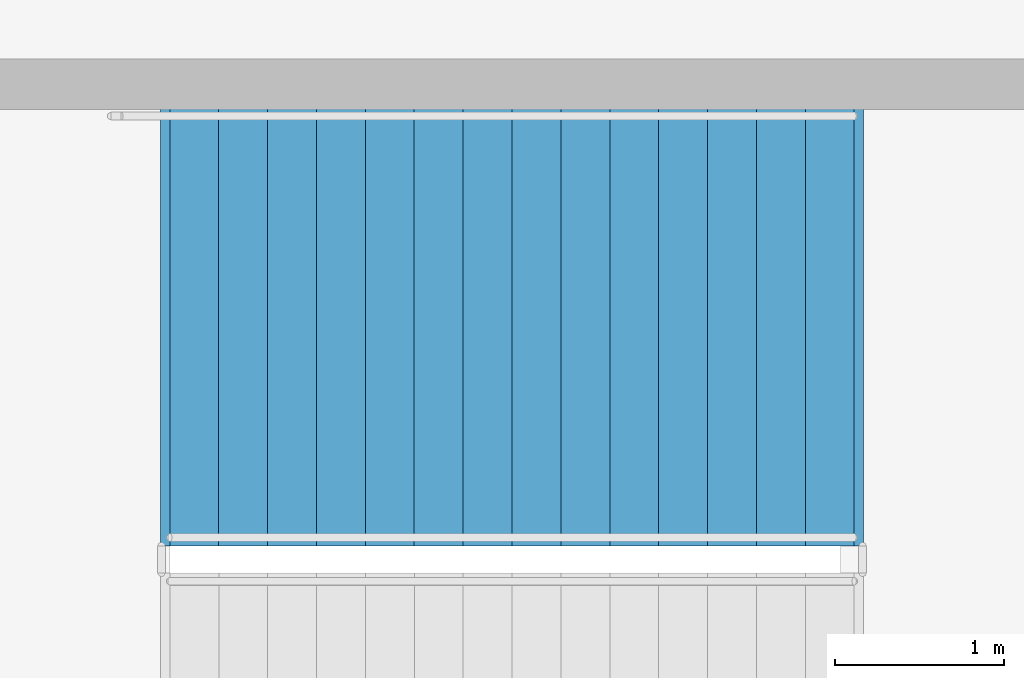
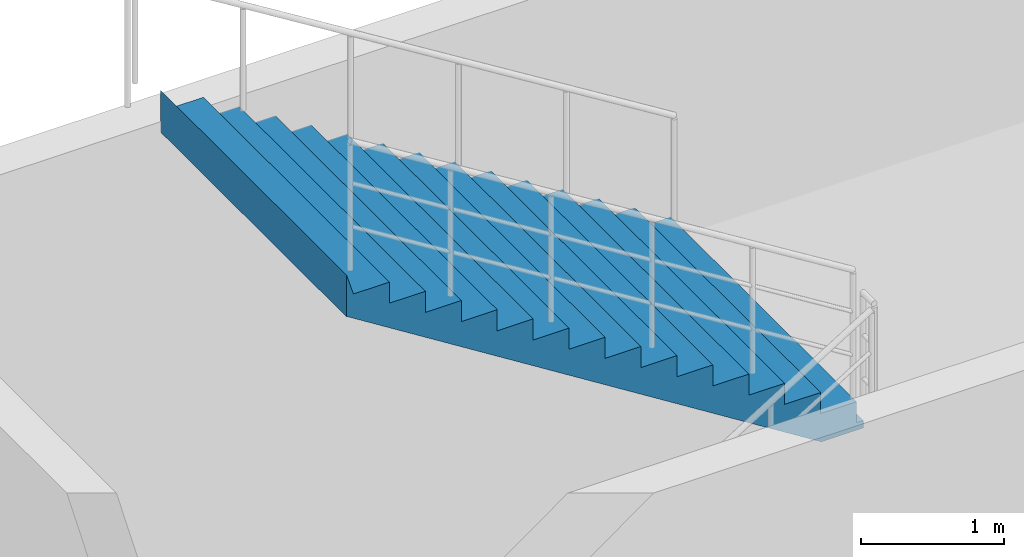
# One storey, part 73 of 93: 1 stair flight, 1 element without a shape of its own.
"""IFC4 building model written with IfcOpenShell, lengths in metres."""

from ifc_helpers import new_model, si_unit, direction, frame, origin, place, context, subcontext, project, spatial, polyline, outline, extrude, material, type_object, element, aggregate, save


model = new_model("IFC4")

# Units and contexts
model_context = context("Model", 3, precision=1e-05, world=origin(), true_north=direction((0.0, 1.0)))
body_context = subcontext(model_context, "Body", "Model", "MODEL_VIEW")
ifc_project = project(units=[si_unit("LENGTHUNIT", "METRE"), si_unit("AREAUNIT", "SQUARE_METRE"), si_unit("VOLUMEUNIT", "CUBIC_METRE"), si_unit("PLANEANGLEUNIT", "RADIAN"), si_unit("MASSUNIT", "GRAM", prefix="KILO")], contexts=[model_context])

# Site, building, storey
site_placement = place(None, origin())
site = spatial("IfcSite", under=ifc_project, at=site_placement, CompositionType="ELEMENT")
building_placement = place(site_placement, origin())
building = spatial("IfcBuilding", under=site, at=building_placement, Name="Cinderbank Siding Concert Hall", CompositionType="ELEMENT")
storey_placement = place(building_placement, origin())
storey = spatial("IfcBuildingStorey", under=building, at=storey_placement, Name="L01", CompositionType="ELEMENT", Elevation=0.0)

# Stair, stair flight
ifc_material = material(Name="Reinforced concrete AS 3600 N50 (50 MPa)", Category="concrete")
stair_type = type_object("IfcStairType", Name="STR-B Dogleg Exit Stair 2600mm", PredefinedType="HALF_TURN_STAIR", material=ifc_material)
stair_placement = place(storey_placement, origin())
stair = element("IfcStair", 1, at=stair_placement, inside=storey, type_object=stair_type, Name="L01 Southeast Concourse Exit Stair ST-10", PredefinedType="HALF_TURN_STAIR")
stair_flight_type = type_object("IfcStairFlightType", Name="SFL-B Concrete Stair Flight 2600mm", PredefinedType="STRAIGHT", material=ifc_material)
stair_flight_placement = place(storey_placement, frame((159.159912109375, 21.860107421875, 2.699951171875), z_axis=(0.0, 0.0, 1.0), x_axis=(-1.0, 0.0, 0.0)))
stair_flight = element("IfcStairFlight", 2, at=stair_flight_placement, type_object=stair_flight_type, Name="ST-10 flight 2", NumberOfRisers=15, NumberOfTreads=14, PredefinedType="STRAIGHT", RiserHeight=0.18, TreadLength=0.29, context=body_context, shape_type="SweptSolid", body=[
    extrude(outline(polyline([(0.0, 0.0), (0.0, 0.179931640625), (0.2900390625, 0.179931640625), (0.2900390625, 0.360107421875), (0.580078125, 0.360107421875), (0.580078125, 0.5400390625), (0.8701171875, 0.5400390625), (0.8701171875, 0.719970703125), (1.159912109375, 0.719970703125), (1.159912109375, 0.89990234375), (1.449951171875, 0.89990234375), (1.449951171875, 1.080078125), (1.739990234375, 1.080078125), (1.739990234375, 1.260009765625), (2.030029296875, 1.260009765625), (2.030029296875, 1.43994140625), (2.320068359375, 1.43994140625), (2.320068359375, 1.6201171875), (2.610107421875, 1.6201171875), (2.610107421875, 1.800048828125), (2.89990234375, 1.800048828125), (2.89990234375, 1.97998046875), (3.18994140625, 1.97998046875), (3.18994140625, 2.159912109375), (3.47998046875, 2.159912109375), (3.47998046875, 2.340087890625), (3.77001953125, 2.340087890625), (3.77001953125, 2.52001953125), (4.06005859375, 2.52001953125), (4.114990234375, 2.699951171875), (4.114990234375, 2.343505859375), (4.11474609375, 2.34375), (4.11474609375, 2.343994140625), (4.11474609375, 2.34423828125), (4.11474609375, 2.344482421875), (4.11474609375, 2.3447265625), (4.11474609375, 2.344970703125), (4.11474609375, 2.34521484375), (4.11474609375, 2.345458984375), (4.11474609375, 2.345703125), (4.11474609375, 2.345947265625), (4.11474609375, 2.34619140625), (4.11474609375, 2.346435546875), (4.114501953125, 2.346435546875), (4.114501953125, 2.34619140625), (4.114501953125, 2.345947265625), (4.114501953125, 2.345703125), (4.114501953125, 2.345458984375), (4.114501953125, 2.34521484375), (4.114501953125, 2.344970703125), (4.114501953125, 2.3447265625), (4.114501953125, 2.344482421875), (4.114501953125, 2.34423828125), (4.114501953125, 2.343994140625), (4.114501953125, 2.34375), (4.114501953125, 2.343505859375), (4.1142578125, 2.34375), (4.1142578125, 2.343994140625), (4.1142578125, 2.34423828125), (4.1142578125, 2.344482421875), (4.1142578125, 2.3447265625), (4.1142578125, 2.344970703125), (4.1142578125, 2.34521484375), (4.1142578125, 2.345458984375), (4.1142578125, 2.345703125), (4.1142578125, 2.345947265625), (4.1142578125, 2.34619140625), (4.1142578125, 2.346435546875), (4.114013671875, 2.346435546875), (4.114013671875, 2.34619140625), (4.114013671875, 2.345947265625), (4.114013671875, 2.345703125), (4.114013671875, 2.345458984375), (4.114013671875, 2.34521484375), (4.114013671875, 2.344970703125), (4.114013671875, 2.3447265625), (4.114013671875, 2.344482421875), (4.114013671875, 2.34423828125), (4.114013671875, 2.343994140625), (4.114013671875, 2.34375), (4.114013671875, 2.343505859375), (4.11376953125, 2.34375), (4.11376953125, 2.343994140625), (4.11376953125, 2.34423828125), (4.11376953125, 2.344482421875), (4.11376953125, 2.3447265625), (4.11376953125, 2.344970703125), (4.11376953125, 2.34521484375), (4.11376953125, 2.345458984375), (4.11376953125, 2.345703125), (4.11376953125, 2.345947265625), (4.11376953125, 2.34619140625), (4.11376953125, 2.346435546875), (4.113525390625, 2.346435546875), (4.113525390625, 2.34619140625), (4.113525390625, 2.345947265625), (4.113525390625, 2.345703125), (4.113525390625, 2.345458984375), (4.113525390625, 2.34521484375), (4.113525390625, 2.344970703125), (4.113525390625, 2.3447265625), (4.113525390625, 2.344482421875), (4.113525390625, 2.34423828125), (4.113525390625, 2.343994140625), (4.113525390625, 2.34375), (4.113525390625, 2.343505859375), (4.11328125, 2.34375), (4.11328125, 2.343994140625), (4.11328125, 2.34423828125), (4.11328125, 2.344482421875), (4.11328125, 2.3447265625), (4.11328125, 2.344970703125), (4.11328125, 2.34521484375), (4.11328125, 2.345458984375), (4.11328125, 2.345703125), (4.11328125, 2.345947265625), (4.11328125, 2.34619140625), (4.11328125, 2.346435546875), (4.113037109375, 2.346435546875), (4.113037109375, 2.34619140625), (4.113037109375, 2.345947265625), (4.113037109375, 2.345703125), (4.113037109375, 2.345458984375), (4.113037109375, 2.34521484375), (4.113037109375, 2.344970703125), (4.113037109375, 2.3447265625), (4.113037109375, 2.344482421875), (4.113037109375, 2.34423828125), (4.113037109375, 2.343994140625), (4.113037109375, 2.34375), (4.113037109375, 2.343505859375), (4.11279296875, 2.34375), (4.11279296875, 2.343994140625), (4.11279296875, 2.34423828125), (4.11279296875, 2.344482421875), (4.11279296875, 2.3447265625), (4.11279296875, 2.344970703125), (4.11279296875, 2.34521484375), (4.11279296875, 2.345458984375), (4.11279296875, 2.345703125), (4.11279296875, 2.345947265625), (4.11279296875, 2.34619140625), (4.11279296875, 2.346435546875), (4.112548828125, 2.346435546875), (4.112548828125, 2.34619140625), (4.112548828125, 2.345947265625), (4.112548828125, 2.345703125), (4.112548828125, 2.345458984375), (4.112548828125, 2.34521484375), (4.112548828125, 2.344970703125), (4.112548828125, 2.3447265625), (4.112548828125, 2.344482421875), (4.112548828125, 2.34423828125), (4.112548828125, 2.343994140625), (4.112548828125, 2.34375), (4.112548828125, 2.343505859375), (4.1123046875, 2.34375), (4.1123046875, 2.343994140625), (4.1123046875, 2.34423828125), (4.1123046875, 2.344482421875), (4.1123046875, 2.3447265625), (4.1123046875, 2.344970703125), (4.1123046875, 2.34521484375), (4.1123046875, 2.345458984375), (4.1123046875, 2.345703125), (4.1123046875, 2.345947265625), (4.1123046875, 2.34619140625), (4.1123046875, 2.346435546875), (4.112060546875, 2.346435546875), (4.112060546875, 2.34619140625), (4.112060546875, 2.345947265625), (4.112060546875, 2.345703125), (4.112060546875, 2.345458984375), (4.112060546875, 2.34521484375), (4.112060546875, 2.344970703125), (4.112060546875, 2.3447265625), (4.112060546875, 2.344482421875), (4.112060546875, 2.34423828125), (4.112060546875, 2.343994140625), (4.112060546875, 2.34375), (4.112060546875, 2.343505859375), (4.11181640625, 2.34375), (4.11181640625, 2.343994140625), (4.11181640625, 2.34423828125), (4.11181640625, 2.344482421875), (4.11181640625, 2.3447265625), (4.11181640625, 2.344970703125), (4.11181640625, 2.34521484375), (4.11181640625, 2.345458984375), (4.11181640625, 2.345703125), (4.11181640625, 2.345947265625), (4.11181640625, 2.34619140625), (4.11181640625, 2.346435546875), (4.111572265625, 2.346435546875), (4.111572265625, 2.34619140625), (4.111572265625, 2.345947265625), (4.111572265625, 2.345703125), (4.111572265625, 2.345458984375), (4.111572265625, 2.34521484375), (4.111572265625, 2.344970703125), (4.111572265625, 2.3447265625), (4.111572265625, 2.344482421875), (4.111572265625, 2.34423828125), (4.111572265625, 2.343994140625), (4.111572265625, 2.34375), (4.111572265625, 2.343505859375), (4.111328125, 2.34375), (4.111328125, 2.343994140625), (4.111328125, 2.34423828125), (4.111328125, 2.344482421875), (4.111328125, 2.3447265625), (4.111328125, 2.344970703125), (4.111328125, 2.34521484375), (4.111328125, 2.345458984375), (4.111328125, 2.345703125), (4.111328125, 2.345947265625), (4.111328125, 2.34619140625), (4.111328125, 2.346435546875), (4.111083984375, 2.346435546875), (4.111083984375, 2.34619140625), (4.111083984375, 2.345947265625), (4.111083984375, 2.345703125), (4.111083984375, 2.345458984375), (4.111083984375, 2.34521484375), (4.111083984375, 2.344970703125), (4.111083984375, 2.3447265625), (4.111083984375, 2.344482421875), (4.111083984375, 2.34423828125), (4.111083984375, 2.343994140625), (4.111083984375, 2.34375), (4.111083984375, 2.343505859375), (4.11083984375, 2.34375), (4.11083984375, 2.343994140625), (4.11083984375, 2.34423828125), (4.11083984375, 2.344482421875), (4.11083984375, 2.3447265625), (4.11083984375, 2.344970703125), (4.11083984375, 2.34521484375), (4.11083984375, 2.345458984375), (4.11083984375, 2.345703125), (4.11083984375, 2.345947265625), (4.11083984375, 2.34619140625), (4.11083984375, 2.346435546875), (4.110595703125, 2.346435546875), (4.110595703125, 2.34619140625), (4.110595703125, 2.345947265625), (4.110595703125, 2.345703125), (4.110595703125, 2.345458984375), (4.110595703125, 2.34521484375), (4.110595703125, 2.344970703125), (4.110595703125, 2.3447265625), (4.110595703125, 2.344482421875), (4.110595703125, 2.34423828125), (4.110595703125, 2.343994140625), (4.110595703125, 2.34375), (4.110595703125, 2.343505859375), (4.1103515625, 2.34375), (4.1103515625, 2.343994140625), (4.1103515625, 2.34423828125), (4.1103515625, 2.344482421875), (4.1103515625, 2.3447265625), (4.1103515625, 2.344970703125), (4.1103515625, 2.34521484375), (4.1103515625, 2.345458984375), (4.1103515625, 2.345703125), (4.1103515625, 2.345947265625), (4.1103515625, 2.34619140625), (4.1103515625, 2.346435546875), (4.110107421875, 2.346435546875), (4.110107421875, 2.34619140625), (4.110107421875, 2.345947265625), (4.110107421875, 2.345703125), (4.110107421875, 2.345458984375), (4.110107421875, 2.34521484375), (4.110107421875, 2.344970703125), (4.110107421875, 2.3447265625), (4.110107421875, 2.344482421875), (4.110107421875, 2.34423828125), (4.110107421875, 2.343994140625), (4.110107421875, 2.34375), (4.110107421875, 2.343505859375), (4.10986328125, 2.34375), (4.10986328125, 2.343994140625), (4.10986328125, 2.34423828125), (4.10986328125, 2.344482421875), (4.10986328125, 2.3447265625), (4.10986328125, 2.344970703125), (4.10986328125, 2.34521484375), (4.10986328125, 2.345458984375), (4.10986328125, 2.345703125), (4.10986328125, 2.345947265625), (4.10986328125, 2.34619140625), (4.10986328125, 2.346435546875), (4.109619140625, 2.346435546875), (4.109619140625, 2.34619140625), (4.109619140625, 2.345947265625), (4.109619140625, 2.345703125), (4.109619140625, 2.345458984375), (4.109619140625, 2.34521484375), (4.109619140625, 2.344970703125), (4.109619140625, 2.3447265625), (4.109619140625, 2.344482421875), (4.109619140625, 2.34423828125), (4.109619140625, 2.343994140625), (4.109619140625, 2.34375), (4.109619140625, 2.343505859375), (4.109375, 2.34375), (4.109375, 2.343994140625), (4.109375, 2.34423828125), (4.109375, 2.344482421875), (4.109375, 2.3447265625), (4.109375, 2.344970703125), (4.109375, 2.34521484375), (4.109375, 2.345458984375), (4.109375, 2.345703125), (4.109375, 2.345947265625), (4.109375, 2.34619140625), (4.109375, 2.346435546875), (4.109130859375, 2.346435546875), (4.109130859375, 2.34619140625), (4.109130859375, 2.345947265625), (4.109130859375, 2.345703125), (4.109130859375, 2.345458984375), (4.109130859375, 2.34521484375), (4.109130859375, 2.344970703125), (4.109130859375, 2.3447265625), (4.109130859375, 2.344482421875), (4.109130859375, 2.34423828125), (4.109130859375, 2.343994140625), (4.109130859375, 2.34375), (4.109130859375, 2.343505859375), (4.10888671875, 2.34375), (4.10888671875, 2.343994140625), (4.10888671875, 2.34423828125), (4.10888671875, 2.344482421875), (4.10888671875, 2.3447265625), (4.10888671875, 2.344970703125), (4.10888671875, 2.34521484375), (4.10888671875, 2.345458984375), (4.10888671875, 2.345703125), (4.10888671875, 2.345947265625), (4.10888671875, 2.34619140625), (4.10888671875, 2.346435546875), (4.108642578125, 2.346435546875), (4.108642578125, 2.34619140625), (4.108642578125, 2.345947265625), (4.108642578125, 2.345703125), (4.108642578125, 2.345458984375), (4.108642578125, 2.34521484375), (4.108642578125, 2.344970703125), (4.108642578125, 2.3447265625), (4.108642578125, 2.344482421875), (4.108642578125, 2.34423828125), (4.108642578125, 2.343994140625), (4.108642578125, 2.34375), (4.108642578125, 2.343505859375), (0.2841796875, -0.06396484375), (-0.048583984375, -0.063720703125), (-0.048583984375, -0.0634765625), (-0.048583984375, -0.063232421875), (-0.048583984375, -0.06298828125), (-0.048583984375, -0.062744140625), (-0.048583984375, -0.0625), (-0.048583984375, -0.062255859375), (-0.048583984375, -0.06201171875), (-0.048583984375, -0.061767578125), (-0.048583984375, -0.0615234375), (-0.048583984375, -0.061279296875), (-0.048583984375, -0.06103515625), (-0.048828125, -0.06103515625), (-0.048828125, -0.061279296875), (-0.048828125, -0.0615234375), (-0.048828125, -0.061767578125), (-0.048828125, -0.06201171875), (-0.048828125, -0.062255859375), (-0.048828125, -0.0625), (-0.048828125, -0.062744140625), (-0.048828125, -0.06298828125), (-0.048828125, -0.063232421875), (-0.048828125, -0.0634765625), (-0.048828125, -0.063720703125), (-0.048828125, -0.06396484375), (-0.049072265625, -0.063720703125), (-0.049072265625, -0.0634765625), (-0.049072265625, -0.063232421875), (-0.049072265625, -0.06298828125), (-0.049072265625, -0.062744140625), (-0.049072265625, -0.0625), (-0.049072265625, -0.062255859375), (-0.049072265625, -0.06201171875), (-0.049072265625, -0.061767578125), (-0.049072265625, -0.0615234375), (-0.049072265625, -0.061279296875), (-0.049072265625, -0.06103515625), (-0.04931640625, -0.06103515625), (-0.04931640625, -0.061279296875), (-0.04931640625, -0.0615234375), (-0.04931640625, -0.061767578125), (-0.04931640625, -0.06201171875), (-0.04931640625, -0.062255859375), (-0.04931640625, -0.0625), (-0.04931640625, -0.062744140625), (-0.04931640625, -0.06298828125), (-0.04931640625, -0.063232421875), (-0.04931640625, -0.0634765625), (-0.04931640625, -0.063720703125), (-0.04931640625, -0.06396484375), (-0.049560546875, -0.063720703125), (-0.049560546875, -0.0634765625), (-0.049560546875, -0.063232421875), (-0.049560546875, -0.06298828125), (-0.049560546875, -0.062744140625), (-0.049560546875, -0.0625), (-0.049560546875, -0.062255859375), (-0.049560546875, -0.06201171875), (-0.049560546875, -0.061767578125), (-0.049560546875, -0.0615234375), (-0.049560546875, -0.061279296875), (-0.049560546875, -0.06103515625), (-0.0498046875, -0.06103515625), (-0.0498046875, -0.061279296875), (-0.0498046875, -0.0615234375), (-0.0498046875, -0.061767578125), (-0.0498046875, -0.06201171875), (-0.0498046875, -0.062255859375), (-0.0498046875, -0.0625), (-0.0498046875, -0.062744140625), (-0.0498046875, -0.06298828125), (-0.0498046875, -0.063232421875), (-0.0498046875, -0.0634765625), (-0.0498046875, -0.063720703125), (-0.0498046875, -0.06396484375), (-0.050048828125, -0.063720703125), (-0.050048828125, -0.0634765625), (-0.050048828125, -0.063232421875), (-0.050048828125, -0.06298828125), (-0.050048828125, -0.062744140625), (-0.050048828125, -0.0625), (-0.050048828125, -0.062255859375), (-0.050048828125, -0.06201171875), (-0.050048828125, -0.061767578125), (-0.050048828125, -0.0615234375), (-0.050048828125, -0.061279296875), (-0.050048828125, -0.06103515625), (-0.05029296875, -0.06103515625), (-0.05029296875, -0.061279296875), (-0.05029296875, -0.0615234375), (-0.05029296875, -0.061767578125), (-0.05029296875, -0.06201171875), (-0.05029296875, -0.062255859375), (-0.05029296875, -0.0625), (-0.05029296875, -0.062744140625), (-0.05029296875, -0.06298828125), (-0.05029296875, -0.063232421875), (-0.05029296875, -0.0634765625), (-0.05029296875, -0.063720703125), (-0.05029296875, -0.06396484375), (-0.050537109375, -0.063720703125), (-0.050537109375, -0.0634765625), (-0.050537109375, -0.063232421875), (-0.050537109375, -0.06298828125), (-0.050537109375, -0.062744140625), (-0.050537109375, -0.0625), (-0.050537109375, -0.062255859375), (-0.050537109375, -0.06201171875), (-0.050537109375, -0.061767578125), (-0.050537109375, -0.0615234375), (-0.050537109375, -0.061279296875), (-0.050537109375, -0.06103515625), (-0.05078125, -0.06103515625), (-0.05078125, -0.061279296875), (-0.05078125, -0.0615234375), (-0.05078125, -0.061767578125), (-0.05078125, -0.06201171875), (-0.05078125, -0.062255859375), (-0.05078125, -0.0625), (-0.05078125, -0.062744140625), (-0.05078125, -0.06298828125), (-0.05078125, -0.063232421875), (-0.05078125, -0.0634765625), (-0.05078125, -0.063720703125), (-0.05078125, -0.06396484375), (-0.051025390625, -0.063720703125), (-0.051025390625, -0.0634765625), (-0.051025390625, -0.063232421875), (-0.051025390625, -0.06298828125), (-0.051025390625, -0.062744140625), (-0.051025390625, -0.0625), (-0.051025390625, -0.062255859375), (-0.051025390625, -0.06201171875), (-0.051025390625, -0.061767578125), (-0.051025390625, -0.0615234375), (-0.051025390625, -0.061279296875), (-0.051025390625, -0.06103515625), (-0.05126953125, -0.06103515625), (-0.05126953125, -0.061279296875), (-0.05126953125, -0.0615234375), (-0.05126953125, -0.061767578125), (-0.05126953125, -0.06201171875), (-0.05126953125, -0.062255859375), (-0.05126953125, -0.0625), (-0.05126953125, -0.062744140625), (-0.05126953125, -0.06298828125), (-0.05126953125, -0.063232421875), (-0.05126953125, -0.0634765625), (-0.05126953125, -0.063720703125), (-0.05126953125, -0.06396484375), (-0.051513671875, -0.063720703125), (-0.051513671875, -0.0634765625), (-0.051513671875, -0.063232421875), (-0.051513671875, -0.06298828125), (-0.051513671875, -0.062744140625), (-0.051513671875, -0.0625), (-0.051513671875, -0.062255859375), (-0.051513671875, -0.06201171875), (-0.051513671875, -0.061767578125), (-0.051513671875, -0.0615234375), (-0.051513671875, -0.061279296875), (-0.051513671875, -0.06103515625), (-0.0517578125, -0.06103515625), (-0.0517578125, -0.061279296875), (-0.0517578125, -0.0615234375), (-0.0517578125, -0.061767578125), (-0.0517578125, -0.06201171875), (-0.0517578125, -0.062255859375), (-0.0517578125, -0.0625), (-0.0517578125, -0.062744140625), (-0.0517578125, -0.06298828125), (-0.0517578125, -0.063232421875), (-0.0517578125, -0.0634765625), (-0.0517578125, -0.063720703125), (-0.0517578125, -0.06396484375), (-0.052001953125, -0.063720703125), (-0.052001953125, -0.0634765625), (-0.052001953125, -0.063232421875), (-0.052001953125, -0.06298828125), (-0.052001953125, -0.062744140625), (-0.052001953125, -0.0625), (-0.052001953125, -0.062255859375), (-0.052001953125, -0.06201171875), (-0.052001953125, -0.061767578125), (-0.052001953125, -0.0615234375), (-0.052001953125, -0.061279296875), (-0.052001953125, -0.06103515625), (-0.05224609375, -0.06103515625), (-0.05224609375, -0.061279296875), (-0.05224609375, -0.0615234375), (-0.05224609375, -0.061767578125), (-0.05224609375, -0.06201171875), (-0.05224609375, -0.062255859375), (-0.05224609375, -0.0625), (-0.05224609375, -0.062744140625), (-0.05224609375, -0.06298828125), (-0.05224609375, -0.063232421875), (-0.05224609375, -0.0634765625), (-0.05224609375, -0.063720703125), (-0.05224609375, -0.06396484375), (-0.052490234375, -0.063720703125), (-0.052490234375, -0.0634765625), (-0.052490234375, -0.063232421875), (-0.052490234375, -0.06298828125), (-0.052490234375, -0.062744140625), (-0.052490234375, -0.0625), (-0.052490234375, -0.062255859375), (-0.052490234375, -0.06201171875), (-0.052490234375, -0.061767578125), (-0.052490234375, -0.0615234375), (-0.052490234375, -0.061279296875), (-0.052490234375, -0.06103515625), (-0.052734375, -0.06103515625), (-0.052734375, -0.061279296875), (-0.052734375, -0.0615234375), (-0.052734375, -0.061767578125), (-0.052734375, -0.06201171875), (-0.052734375, -0.062255859375), (-0.052734375, -0.0625), (-0.052734375, -0.062744140625), (-0.052734375, -0.06298828125), (-0.052734375, -0.063232421875), (-0.052734375, -0.0634765625), (-0.052734375, -0.063720703125), (-0.052734375, -0.06396484375), (-0.052978515625, -0.063720703125), (-0.052978515625, -0.0634765625), (-0.052978515625, -0.063232421875), (-0.052978515625, -0.06298828125), (-0.052978515625, -0.062744140625), (-0.052978515625, -0.0625), (-0.052978515625, -0.062255859375), (-0.052978515625, -0.06201171875), (-0.052978515625, -0.061767578125), (-0.052978515625, -0.0615234375), (-0.052978515625, -0.061279296875), (-0.052978515625, -0.06103515625), (-0.05322265625, -0.06103515625), (-0.05322265625, -0.061279296875), (-0.05322265625, -0.0615234375), (-0.05322265625, -0.061767578125), (-0.05322265625, -0.06201171875), (-0.05322265625, -0.062255859375), (-0.05322265625, -0.0625), (-0.05322265625, -0.062744140625), (-0.05322265625, -0.06298828125), (-0.05322265625, -0.063232421875), (-0.05322265625, -0.0634765625), (-0.05322265625, -0.063720703125), (-0.05322265625, -0.06396484375), (-0.053466796875, -0.063720703125), (-0.053466796875, -0.0634765625), (-0.053466796875, -0.063232421875), (-0.053466796875, -0.06298828125), (-0.053466796875, -0.062744140625), (-0.053466796875, -0.0625), (-0.053466796875, -0.062255859375), (-0.053466796875, -0.06201171875), (-0.053466796875, -0.061767578125), (-0.053466796875, -0.0615234375), (-0.053466796875, -0.061279296875), (-0.053466796875, -0.06103515625), (-0.0537109375, -0.06103515625), (-0.0537109375, -0.061279296875), (-0.0537109375, -0.0615234375), (-0.0537109375, -0.061767578125), (-0.0537109375, -0.06201171875), (-0.0537109375, -0.062255859375), (-0.0537109375, -0.0625), (-0.0537109375, -0.062744140625), (-0.0537109375, -0.06298828125), (-0.0537109375, -0.063232421875), (-0.0537109375, -0.0634765625), (-0.0537109375, -0.063720703125), (-0.0537109375, -0.06396484375), (-0.053955078125, -0.063720703125), (-0.053955078125, -0.0634765625), (-0.053955078125, -0.063232421875), (-0.053955078125, -0.06298828125), (-0.053955078125, -0.062744140625), (-0.053955078125, -0.0625), (-0.053955078125, -0.062255859375), (-0.053955078125, -0.06201171875), (-0.053955078125, -0.061767578125), (-0.053955078125, -0.0615234375), (-0.053955078125, -0.061279296875), (-0.053955078125, -0.06103515625), (-0.05419921875, -0.06103515625), (-0.05419921875, -0.061279296875), (-0.05419921875, -0.0615234375), (-0.05419921875, -0.061767578125), (-0.05419921875, -0.06201171875), (-0.05419921875, -0.062255859375), (-0.05419921875, -0.0625), (-0.05419921875, -0.062744140625), (-0.05419921875, -0.06298828125), (-0.05419921875, -0.063232421875), (-0.05419921875, -0.0634765625), (-0.05419921875, -0.063720703125), (-0.05419921875, -0.06396484375), (-0.054443359375, -0.063720703125), (-0.054443359375, -0.0634765625), (-0.054443359375, -0.063232421875), (-0.054443359375, -0.06298828125), (-0.054443359375, -0.062744140625), (-0.054443359375, -0.0625), (-0.054443359375, -0.062255859375), (-0.054443359375, -0.06201171875), (-0.054443359375, -0.061767578125), (-0.054443359375, -0.0615234375), (-0.054443359375, -0.061279296875), (-0.054443359375, -0.06103515625), (-0.0546875, -0.06103515625), (-0.0546875, -0.061279296875), (-0.0546875, -0.0615234375), (-0.0546875, -0.061767578125), (-0.0546875, -0.06201171875), (-0.0546875, -0.062255859375), (-0.0546875, -0.0625), (-0.0546875, -0.062744140625), (-0.0546875, -0.06298828125), (-0.0546875, -0.063232421875), (-0.0546875, -0.0634765625), (-0.0546875, -0.063720703125), (-0.0546875, -0.06396484375), (-0.054931640625, -0.06396484375), (-0.054931640625, 0.0), (0.0, 0.0)])), frame((0.0, 1.300048828125, 0.0), z_axis=(0.0, -1.0, 0.0), x_axis=(1.0, 0.0, 0.0)), (0.0, 0.0, 1.0), 2.60009765625),
])
aggregate(stair, [stair_flight])

save(model, "model.ifc")
